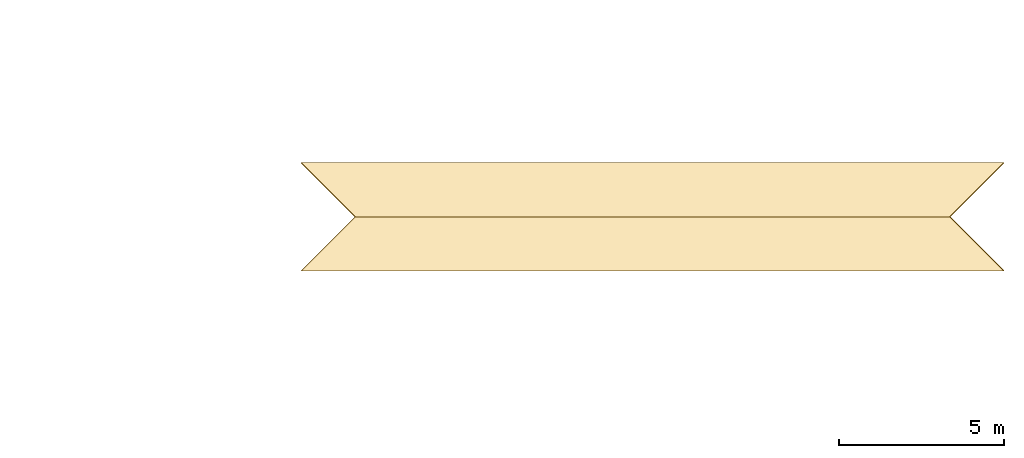
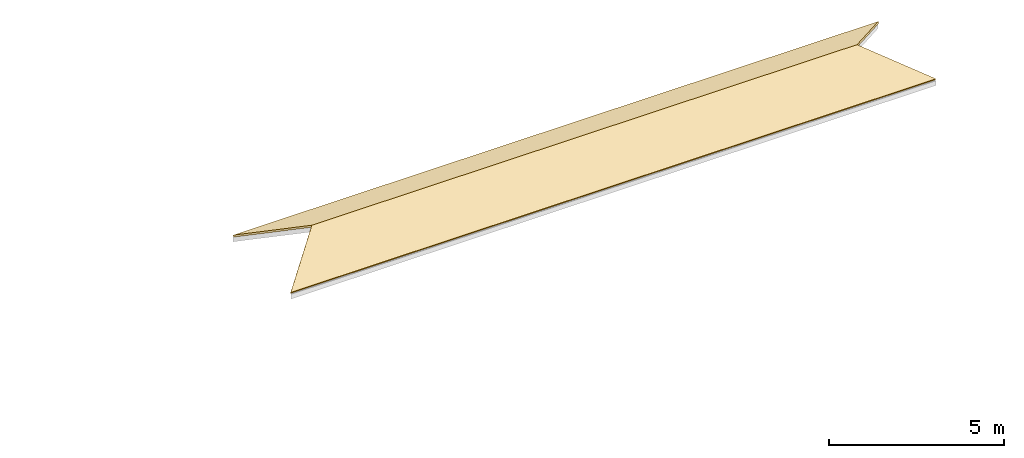
# One storey, part 41 of 42: 2 coverings.
"""IFC4 building model written with IfcOpenShell, lengths in metres."""

from ifc_helpers import new_model, si_unit, direction, frame, origin, place, context, subcontext, project, spatial, polyline, outline, extrude, material, layer, layer_set, type_object, element, save


model = new_model("IFC4")

# Units and contexts
model_context = context("Model", 3, precision=1e-05, world=origin(), true_north=direction((0.0, 1.0)))
body_context = subcontext(model_context, "Body", "Model", "MODEL_VIEW")
ifc_project = project(units=[si_unit("LENGTHUNIT", "METRE"), si_unit("AREAUNIT", "SQUARE_METRE"), si_unit("VOLUMEUNIT", "CUBIC_METRE"), si_unit("PLANEANGLEUNIT", "RADIAN"), si_unit("MASSUNIT", "GRAM", prefix="KILO")], contexts=[model_context])

# Site, building, storey
site_placement = place(None, origin())
site = spatial("IfcSite", under=ifc_project, at=site_placement, CompositionType="ELEMENT")
building_placement = place(site_placement, origin())
building = spatial("IfcBuilding", under=site, at=building_placement, Name="Golden Quay Civic Hall", CompositionType="ELEMENT")
storey_placement = place(building_placement, frame((0.0, 0.0, 22.800048828125)))
storey = spatial("IfcBuildingStorey", under=building, at=storey_placement, Name="L05", CompositionType="ELEMENT", Elevation=22.800048828125)

# Coverings
ifc_material = material(Name="Clay roof tile")
ifc_layer = layer(ifc_material, 0.06005859375)
ifc_layer_set = layer_set([ifc_layer], Name="Clay roof tile 60")
covering_type = type_object("IfcCoveringType", Name="Clay roof tile 60", PredefinedType="ROOFING", material=ifc_layer_set)
covering_1_placement = place(storey_placement, frame((133.35009765625, 79.35009765625, 0.0263671875), z_axis=(0.0, -0.422694578549, 0.906272196013), x_axis=(1.0, 0.0, 0.0)))
element("IfcCovering", 1, at=covering_1_placement, inside=storey, type_object=covering_type, Name="Roof tiles south crown cap", PredefinedType="ROOFING", context=body_context, shape_type="SweptSolid", body=[
    extrude(outline(polyline([(0.0, 0.0), (21.2998046875, 0.0), (19.64990234375, 1.8205373076754856), (1.64990234375, 1.8205373076754856), (0.0, 0.0)])), origin(), (0.0, 0.0, -1.0), 0.06005859375),
])
covering_2_placement = place(storey_placement, frame((135.0, 81.0, 0.7958984375), z_axis=(0.0, 0.422694578549, 0.906272196013), x_axis=(1.0, 0.0, 0.0)))
element("IfcCovering", 2, at=covering_2_placement, inside=storey, type_object=covering_type, Name="Roof tiles north crown cap", PredefinedType="ROOFING", context=body_context, shape_type="SweptSolid", body=[
    extrude(outline(polyline([(0.0, 0.0), (18.0, 0.0), (19.64990234375, 1.8205373076754856), (-1.64990234375, 1.8205373076754856), (0.0, 0.0)])), origin(), (0.0, 0.0, -1.0), 0.06005859375),
])

save(model, "model.ifc")
